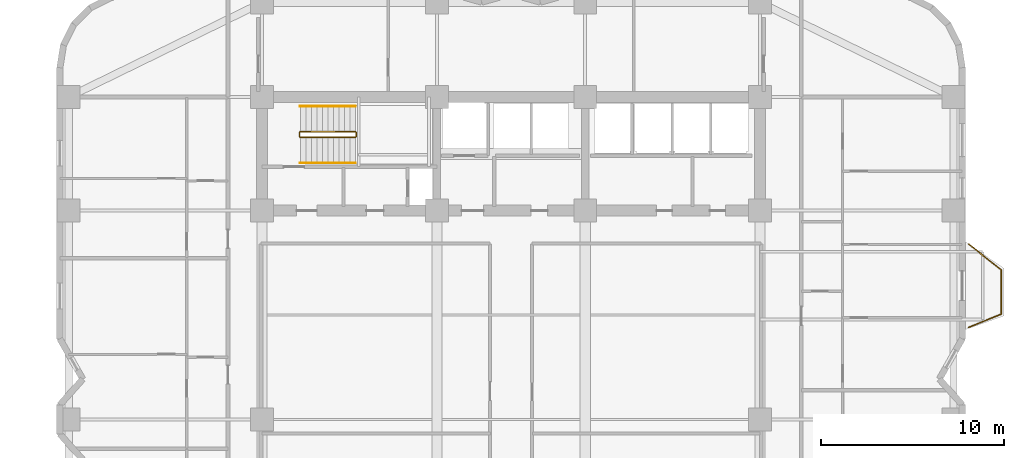
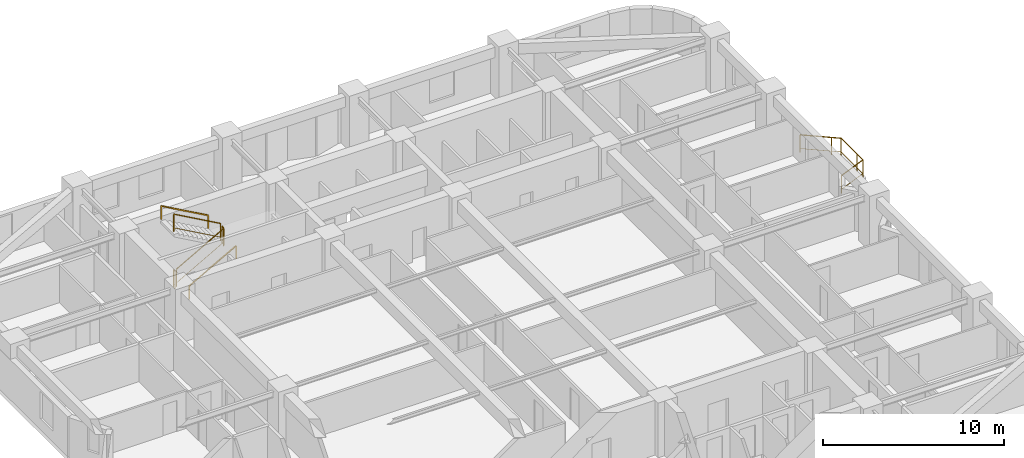
# One storey, part 9 of 9: 7 railings.
"""IFC4 building model written with IfcOpenShell, lengths in metres."""

import ifcopenshell
import ifcopenshell.guid

model = None  # the IFC model being written
_history = None  # IfcOwnerHistory: only IFC2X3 demands one
_inside = {}  # id of a spatial element -> (the spatial element, [elements in it])
_under = {}  # id of a project, library or spatial element -> (it, [spatial elements below it])
_declared = {}  # id of a project -> (the project, [libraries it declares])
_typed = {}  # id of a type object -> (the type object, [elements of that type])
_made_of = {}  # id of a material, layer set ... -> (it, [elements and type objects made of it])


def new_model(schema):
    """Start an empty IFC model of exactly this schema.

    Asked for "IFC4X3", IfcOpenShell would pick the latest addendum, in which some entities
    have other attributes; the version numbers below select the first issue.
    IFC2X3 requires an IfcOwnerHistory on every rooted entity: one is made here for all.
    """
    global model, _history
    if schema == "IFC4X3":
        model = ifcopenshell.file(schema_version=(4, 3, 0, 0))
    else:
        model = ifcopenshell.file(schema=schema)
    _inside.clear()
    _under.clear()
    _declared.clear()
    _typed.clear()
    _made_of.clear()
    _history = None
    if model.schema == "IFC2X3":
        org = make("IfcOrganization", Name="unknown")
        user = make(
            "IfcPersonAndOrganization",
            ThePerson=make("IfcPerson", FamilyName="unknown"),
            TheOrganization=org,
        )
        app = make(
            "IfcApplication",
            ApplicationDeveloper=org,
            Version="unknown",
            ApplicationFullName="unknown",
            ApplicationIdentifier="unknown",
        )
        _history = make(
            "IfcOwnerHistory",
            OwningUser=user,
            OwningApplication=app,
            ChangeAction="ADDED",
            CreationDate=0,
        )
    return model


def make(cls, **values):
    """One entity of the class cls with the attributes given. An attribute that is None is left unset."""
    return model.create_entity(
        cls, **{name: value for name, value in values.items() if value is not None}
    )


def rooted(cls, **values):
    """An entity with a GlobalId (a new one), such as an element, a storey or a relation."""
    return make(cls, GlobalId=ifcopenshell.guid.new(), OwnerHistory=_history, **values)


def si_unit(unit_type, name, prefix=None):
    """IfcSIUnit, for example si_unit("LENGTHUNIT", "METRE", prefix="MILLI")."""
    return make("IfcSIUnit", UnitType=unit_type, Prefix=prefix, Name=name)


def assignment(units):
    """IfcUnitAssignment: the units of a project."""
    return None if units is None else make("IfcUnitAssignment", Units=units)


def point(xyz):
    """IfcCartesianPoint."""
    return None if xyz is None else make("IfcCartesianPoint", Coordinates=xyz)


def direction(xyz):
    """IfcDirection."""
    return None if xyz is None else make("IfcDirection", DirectionRatios=xyz)


def frame(location, z_axis=None, x_axis=None):
    """IfcAxis2Placement3D, a coordinate frame: its origin and axes. An axis left out is left unset."""
    return make(
        "IfcAxis2Placement3D",
        Location=point(location),
        Axis=direction(z_axis),
        RefDirection=direction(x_axis),
    )


def frame_2d(location, x_axis=None):
    """IfcAxis2Placement2D, a coordinate frame in the plane: its origin and x axis."""
    return make(
        "IfcAxis2Placement2D", Location=point(location), RefDirection=direction(x_axis)
    )


def origin():
    """The frame at (0, 0, 0) with its axes left unset."""
    return frame((0.0, 0.0, 0.0))


def origin_2d():
    """The frame at (0, 0) in the plane with its x axis left unset."""
    return frame_2d((0.0, 0.0))


def place(relative_to, where):
    """IfcLocalPlacement: puts the frame where relative to a parent placement (None: the world)."""
    return make(
        "IfcLocalPlacement", PlacementRelTo=relative_to, RelativePlacement=where
    )


def context(
    kind, dimensions, precision=None, world=None, true_north=None, identifier=None
):
    """IfcGeometricRepresentationContext, for example the 3D "Model" context."""
    return make(
        "IfcGeometricRepresentationContext",
        ContextIdentifier=identifier,
        ContextType=kind,
        CoordinateSpaceDimension=dimensions,
        Precision=precision,
        WorldCoordinateSystem=world,
        TrueNorth=true_north,
    )


def subcontext(parent, identifier, kind, view, scale=None):
    """IfcGeometricRepresentationSubContext, for example "Body" below "Model"."""
    return make(
        "IfcGeometricRepresentationSubContext",
        ContextIdentifier=identifier,
        ContextType=kind,
        ParentContext=parent,
        TargetScale=scale,
        TargetView=view,
    )


def project(units=None, contexts=None):
    """IfcProject with its units and contexts."""
    return rooted(
        "IfcProject",
        Name="project",
        RepresentationContexts=contexts,
        UnitsInContext=assignment(units),
    )


def spatial(cls, under=None, at=None, **own):
    """A site, building, storey or space (cls), placed at a placement, below another one or the project."""
    s = rooted(cls, ObjectPlacement=at, **own)
    if under is not None:
        _under.setdefault(under.id(), (under, []))[1].append(s)
    return s


def profile(cls, at=None, kind="AREA", **sizes):
    """A parametric profile (cls). Its sizes go by their IFC names, for example OverallWidth=200.0."""
    return make(cls, ProfileType=kind, Position=at, **sizes)


def rectangle(**sizes):
    """IfcRectangleProfileDef."""
    return profile("IfcRectangleProfileDef", **sizes)


def extrude(swept, where, along, depth):
    """IfcExtrudedAreaSolid: the profile swept, set in the frame where, extruded along a direction by depth."""
    return make(
        "IfcExtrudedAreaSolid",
        SweptArea=swept,
        Position=where,
        ExtrudedDirection=direction(along),
        Depth=depth,
    )


def shape(context_of_items, identifier, shape_type, items):
    """IfcShapeRepresentation: the items that make up one representation, for example the "Body"."""
    return make(
        "IfcShapeRepresentation",
        ContextOfItems=context_of_items,
        RepresentationIdentifier=identifier,
        RepresentationType=shape_type,
        Items=items,
    )


def material(Name=None, Category=None):
    """IfcMaterial."""
    return make("IfcMaterial", Name=Name, Category=Category)


def made_of(thing, what):
    """Note that an element or type object is made of a material, layer set ...; save() writes the relation."""
    if what is not None:
        _made_of.setdefault(what.id(), (what, []))[1].append(thing)
    return thing


def type_object(cls, material=None, **own):
    """A type object (cls), such as IfcWallType, which elements share."""
    return made_of(rooted(cls, **own), material)


def element(
    cls,
    number,
    at=None,
    inside=None,
    cuts=None,
    type_object=None,
    material=None,
    context=None,
    identifier="Body",
    shape_type=None,
    held_by="IfcProductDefinitionShape",
    body=None,
    shapes=None,
    **own,
):
    """One element of the class cls, such as IfcWall. Its Tag is "e" and its number.

    at: its placement. inside: the storey or other place that contains it. cuts: it is an
    opening in that element (IfcRelVoidsElement). A single representation is given by context,
    identifier, shape_type and body (its items); several are given by shapes. held_by: the class
    of the entity that holds the representations. save() writes the other relations.
    """
    e = rooted(cls, Tag="e%d" % number, ObjectPlacement=at, **own)
    if body is not None:
        shapes = [shape(context, identifier, shape_type, body)]
    if shapes is not None:
        e.Representation = make(held_by, Representations=shapes)
    if inside is not None:
        _inside.setdefault(inside.id(), (inside, []))[1].append(e)
    if cuts is not None:
        rooted(
            "IfcRelVoidsElement", RelatingBuildingElement=cuts, RelatedOpeningElement=e
        )
    if type_object is not None:
        _typed.setdefault(type_object.id(), (type_object, []))[1].append(e)
    return made_of(e, material)


def aggregate(whole, parts):
    """IfcRelAggregates: a whole, such as a stair, and the parts it consists of."""
    return rooted("IfcRelAggregates", RelatingObject=whole, RelatedObjects=parts)


def save(model, path):
    """Write the relations noted so far, then the file.

    IfcRelAggregates (storeys below a building ...), IfcRelContainedInSpatialStructure (elements
    in a storey), IfcRelDefinesByType, IfcRelAssociatesMaterial and IfcRelDeclares: one each for
    every whole, place, type object, material and project.
    """
    for whole, parts in _under.values():
        aggregate(whole, parts)
    for where, things in _inside.values():
        rooted(
            "IfcRelContainedInSpatialStructure",
            RelatedElements=things,
            RelatingStructure=where,
        )
    for kind, things in _typed.values():
        rooted("IfcRelDefinesByType", RelatedObjects=things, RelatingType=kind)
    for what, things in _made_of.values():
        rooted("IfcRelAssociatesMaterial", RelatedObjects=things, RelatingMaterial=what)
    for by, libraries in _declared.values():
        rooted("IfcRelDeclares", RelatingContext=by, RelatedDefinitions=libraries)
    model.write(path)


model = new_model("IFC4")

# Units and contexts
model_context = context("Model", 3, precision=1e-05, world=origin(), true_north=direction((0.0, 1.0)))
body_context = subcontext(model_context, "Body", "Model", "MODEL_VIEW")
ifc_project = project(units=[si_unit("LENGTHUNIT", "METRE"), si_unit("AREAUNIT", "SQUARE_METRE"), si_unit("VOLUMEUNIT", "CUBIC_METRE"), si_unit("PLANEANGLEUNIT", "RADIAN"), si_unit("MASSUNIT", "GRAM", prefix="KILO")], contexts=[model_context])

# Site, building, storey
site_placement = place(None, origin())
site = spatial("IfcSite", under=ifc_project, at=site_placement, CompositionType="ELEMENT")
building_placement = place(site_placement, origin())
building = spatial("IfcBuilding", under=site, at=building_placement, Name="Svetorya Sky Lyceum", CompositionType="ELEMENT")
storey_placement = place(building_placement, frame((0.0, 0.0, 54.699951171875)))
storey = spatial("IfcBuildingStorey", under=building, at=storey_placement, Name="L13", CompositionType="ELEMENT", Elevation=54.699951171875)

# Railings
ifc_material_1 = material(Name="Laminated safety glass and stainless AISI 316", Category="glass")
railing_type_1 = type_object("IfcRailingType", Name="RL-BAL-1200", PredefinedType="BALUSTRADE", material=ifc_material_1)
railing_1_placement = place(storey_placement, frame((64.169921875, 37.780029296875, 0.0)))
element("IfcRailing", 1, at=railing_1_placement, inside=storey, type_object=railing_type_1, Name="L13 Balcony Balustrade BAL-E1", PredefinedType="BALUSTRADE", context=body_context, shape_type="SweptSolid", body=[
    extrude(rectangle(XDim=0.048095703125, YDim=0.048095703125, at=origin_2d()), frame((0.0, 0.0, 1.17578125), z_axis=(0.783008919264, -0.622010476079, 0.0), x_axis=(0.622010476079, 0.783008919264, 0.0)), (0.0, 0.0, 1.0), 2.298828125),
    extrude(rectangle(XDim=0.02392578125, YDim=0.02392578125, at=origin_2d()), frame((0.0, 0.0, 0.25), z_axis=(0.783008919264, -0.622010476079, 0.0), x_axis=(0.622010476079, 0.783008919264, 0.0)), (0.0, 0.0, 1.0), 2.298828125),
    extrude(rectangle(XDim=0.048095703125, YDim=0.048095703125, at=origin_2d()), frame((1.800048828125, -1.429931640625, 1.17578125), z_axis=(0.0, -1.0, 0.0), x_axis=(1.0, 0.0, 0.0)), (0.0, 0.0, 1.0), 2.400146484375),
    extrude(rectangle(XDim=0.02392578125, YDim=0.02392578125, at=origin_2d()), frame((1.800048828125, -1.429931640625, 0.25), z_axis=(0.0, -1.0, 0.0), x_axis=(1.0, 0.0, 0.0)), (0.0, 0.0, 1.0), 2.400146484375),
    extrude(rectangle(XDim=0.048095703125, YDim=0.048095703125, at=origin_2d()), frame((1.800048828125, -3.830078125, 1.17578125), z_axis=(-0.926697865975, -0.375807218129, 0.0), x_axis=(0.375807218129, -0.926697865975, 0.0)), (0.0, 0.0, 1.0), 1.9423828125),
    extrude(rectangle(XDim=0.02392578125, YDim=0.02392578125, at=origin_2d()), frame((1.800048828125, -3.830078125, 0.25), z_axis=(-0.926697865975, -0.375807218129, 0.0), x_axis=(0.375807218129, -0.926697865975, 0.0)), (0.0, 0.0, 1.0), 1.9423828125),
    extrude(rectangle(XDim=0.0419921875, YDim=0.0419921875, at=origin_2d()), origin(), (0.0, 0.0, 1.0), 1.15185546875),
    extrude(rectangle(XDim=0.0419921875, YDim=0.0419921875, at=origin_2d()), frame((1.370361328125, -1.088623046875, 0.0)), (0.0, 0.0, 1.0), 1.15185546875),
    extrude(rectangle(XDim=0.0419921875, YDim=0.0419921875, at=origin_2d()), frame((1.800048828125, -1.429931640625, 0.0)), (0.0, 0.0, 1.0), 1.15185546875),
    extrude(rectangle(XDim=0.0419921875, YDim=0.0419921875, at=origin_2d()), frame((1.800048828125, -3.179931640625, 0.0)), (0.0, 0.0, 1.0), 1.15185546875),
    extrude(rectangle(XDim=0.0419921875, YDim=0.0419921875, at=origin_2d()), frame((1.800048828125, -3.830078125, 0.0)), (0.0, 0.0, 1.0), 1.15185546875),
    extrude(rectangle(XDim=0.0419921875, YDim=0.0419921875, at=origin_2d()), frame((0.0, -4.56005859375, 0.0)), (0.0, 0.0, 1.0), 1.15185546875),
])
ifc_material_2 = material(Name="Painted galvanized stair well guard")
railing_type_2 = type_object("IfcRailingType", Name="RL-STR-GUARD-1200", PredefinedType="GUARDRAIL", material=ifc_material_2)
railing_2_placement = place(storey_placement, frame((27.699951171875, 43.60009765625, 0.168212890625)))
element("IfcRailing", 2, at=railing_2_placement, inside=storey, type_object=railing_type_2, Name="L13 ST-N stair guard 1", PredefinedType="GUARDRAIL", context=body_context, shape_type="SweptSolid", body=[
    extrude(rectangle(XDim=0.048095703125, YDim=0.048095703125, at=origin_2d()), frame((0.0, 0.0, 1.17578125), z_axis=(0.872272294576, 0.0, 0.489020494575), x_axis=(0.0, 1.0, 0.0)), (0.0, 0.0, 1.0), 3.439208984375),
    extrude(rectangle(XDim=0.02392578125, YDim=0.02392578125, at=origin_2d()), frame((0.0, 0.0, 0.25), z_axis=(0.872272294576, 0.0, 0.489020494575), x_axis=(0.0, 1.0, 0.0)), (0.0, 0.0, 1.0), 3.439208984375),
    extrude(rectangle(XDim=0.0419921875, YDim=0.0419921875, at=origin_2d()), origin(), (0.0, 0.0, 1.0), 1.15185546875),
    extrude(rectangle(XDim=0.0419921875, YDim=0.0419921875, at=origin_2d()), frame((3.0, 0.0, 1.681884765625)), (0.0, 0.0, 1.0), 1.15185546875),
])
railing_3_placement = place(storey_placement, frame((30.75, 43.64990234375, 1.85009765625)))
element("IfcRailing", 3, at=railing_3_placement, inside=storey, type_object=railing_type_2, Name="L13 ST-N stair guard 2", PredefinedType="GUARDRAIL", context=body_context, shape_type="SweptSolid", body=[
    extrude(rectangle(XDim=0.048095703125, YDim=0.048095703125, at=origin_2d()), frame((0.0, 0.0, 1.17578125), z_axis=(0.0, 1.0, 0.0), x_axis=(-1.0, 0.0, 0.0)), (0.0, 0.0, 1.0), 0.2001953125),
    extrude(rectangle(XDim=0.02392578125, YDim=0.02392578125, at=origin_2d()), frame((0.0, 0.0, 0.25), z_axis=(0.0, 1.0, 0.0), x_axis=(-1.0, 0.0, 0.0)), (0.0, 0.0, 1.0), 0.2001953125),
    extrude(rectangle(XDim=0.0419921875, YDim=0.0419921875, at=origin_2d()), origin(), (0.0, 0.0, 1.0), 1.15185546875),
    extrude(rectangle(XDim=0.0419921875, YDim=0.0419921875, at=origin_2d()), frame((0.0, 0.2001953125, 0.0)), (0.0, 0.0, 1.0), 1.15185546875),
])
railing_4_placement = place(storey_placement, frame((30.699951171875, 43.89990234375, 2.018310546875)))
element("IfcRailing", 4, at=railing_4_placement, inside=storey, type_object=railing_type_2, Name="L13 ST-N stair guard 3", PredefinedType="GUARDRAIL", context=body_context, shape_type="SweptSolid", body=[
    extrude(rectangle(XDim=0.048095703125, YDim=0.048095703125, at=origin_2d()), frame((0.0, 0.0, 1.17578125), z_axis=(-0.872302573547, 0.0, 0.488966481656), x_axis=(0.0, -1.0, 0.0)), (0.0, 0.0, 1.0), 3.439208984375),
    extrude(rectangle(XDim=0.02392578125, YDim=0.02392578125, at=origin_2d()), frame((0.0, 0.0, 0.25), z_axis=(-0.872302573547, 0.0, 0.488966481656), x_axis=(0.0, -1.0, 0.0)), (0.0, 0.0, 1.0), 3.439208984375),
    extrude(rectangle(XDim=0.0419921875, YDim=0.0419921875, at=origin_2d()), origin(), (0.0, 0.0, 1.0), 1.15185546875),
    extrude(rectangle(XDim=0.0419921875, YDim=0.0419921875, at=origin_2d()), frame((-3.0, 0.0, 1.681640625)), (0.0, 0.0, 1.0), 1.15185546875),
])
railing_5_placement = place(storey_placement, frame((27.64990234375, 43.64990234375, 0.0)))
element("IfcRailing", 5, at=railing_5_placement, inside=storey, type_object=railing_type_2, Name="L13 ST-N stair guard 4", PredefinedType="GUARDRAIL", context=body_context, shape_type="SweptSolid", body=[
    extrude(rectangle(XDim=0.048095703125, YDim=0.048095703125, at=origin_2d()), frame((0.0, 0.0, 1.17578125), z_axis=(0.0, 1.0, 0.0), x_axis=(-1.0, 0.0, 0.0)), (0.0, 0.0, 1.0), 0.2001953125),
    extrude(rectangle(XDim=0.02392578125, YDim=0.02392578125, at=origin_2d()), frame((0.0, 0.0, 0.25), z_axis=(0.0, 1.0, 0.0), x_axis=(-1.0, 0.0, 0.0)), (0.0, 0.0, 1.0), 0.2001953125),
    extrude(rectangle(XDim=0.0419921875, YDim=0.0419921875, at=origin_2d()), origin(), (0.0, 0.0, 1.0), 1.15185546875),
    extrude(rectangle(XDim=0.0419921875, YDim=0.0419921875, at=origin_2d()), frame((0.0, 0.2001953125, 0.0)), (0.0, 0.0, 1.0), 1.15185546875),
])
ifc_material_3 = material(Name="Brushed stainless AISI 304 stair handrail")
railing_type_3 = type_object("IfcRailingType", Name="RL-STR-HAND-920", PredefinedType="HANDRAIL", material=ifc_material_3)
railing_6_placement = place(storey_placement, frame((27.699951171875, 42.199951171875, 0.168212890625)))
element("IfcRailing", 6, at=railing_6_placement, inside=storey, type_object=railing_type_3, Name="L13 ST-N stair handrail 1", PredefinedType="HANDRAIL", context=body_context, shape_type="SweptSolid", body=[
    extrude(rectangle(XDim=0.048095703125, YDim=0.048095703125, at=origin_2d()), frame((0.0, 0.0, 0.8759765625), z_axis=(0.872272294576, 0.0, 0.489020494575), x_axis=(0.0, 1.0, 0.0)), (0.0, 0.0, 1.0), 3.439208984375),
    extrude(rectangle(XDim=0.0419921875, YDim=0.0419921875, at=origin_2d()), origin(), (0.0, 0.0, 1.0), 0.851806640625),
    extrude(rectangle(XDim=0.0419921875, YDim=0.0419921875, at=origin_2d()), frame((3.0, 0.0, 1.681884765625)), (0.0, 0.0, 1.0), 0.851806640625),
])
railing_7_placement = place(storey_placement, frame((30.699951171875, 45.300048828125, 2.018310546875)))
element("IfcRailing", 7, at=railing_7_placement, inside=storey, type_object=railing_type_3, Name="L13 ST-N stair handrail 2", PredefinedType="HANDRAIL", context=body_context, shape_type="SweptSolid", body=[
    extrude(rectangle(XDim=0.048095703125, YDim=0.048095703125, at=origin_2d()), frame((0.0, 0.0, 0.8759765625), z_axis=(-0.872302573547, 0.0, 0.488966481656), x_axis=(0.0, -1.0, 0.0)), (0.0, 0.0, 1.0), 3.439208984375),
    extrude(rectangle(XDim=0.0419921875, YDim=0.0419921875, at=origin_2d()), origin(), (0.0, 0.0, 1.0), 0.851806640625),
    extrude(rectangle(XDim=0.0419921875, YDim=0.0419921875, at=origin_2d()), frame((-3.0, 0.0, 1.681640625)), (0.0, 0.0, 1.0), 0.851806640625),
])

save(model, "model.ifc")
